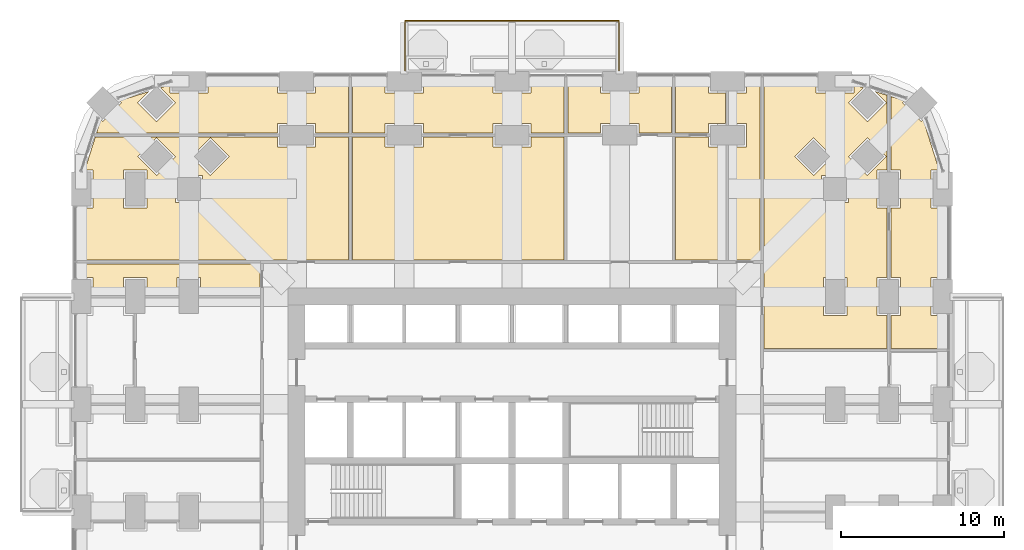
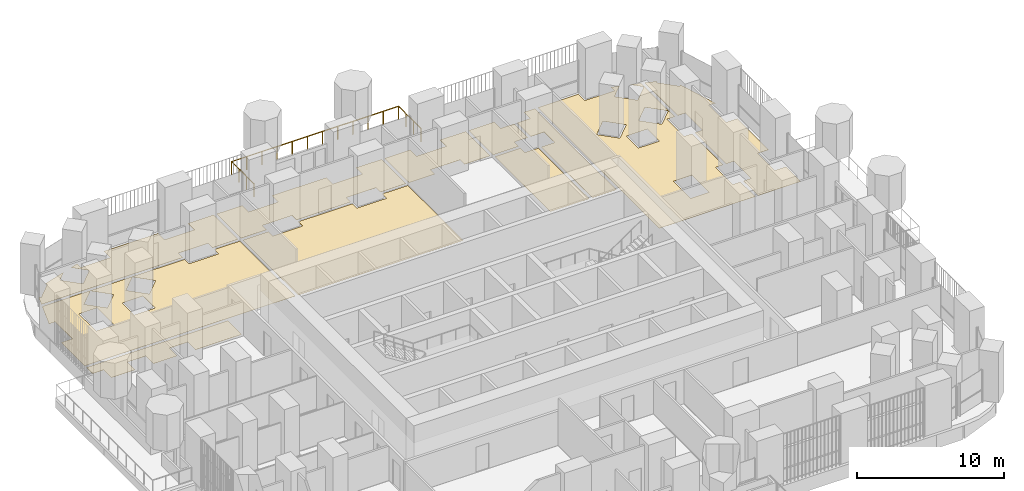
# One storey, part 25 of 26: 11 coverings, 1 railing.
"""IFC4 building model written with IfcOpenShell, lengths in metres."""

from ifc_helpers import new_model, si_unit, direction, frame, origin, place, context, subcontext, project, spatial, polyline, outline, extrude, material, layer, layer_set, type_object, element, save


model = new_model("IFC4")

# Units and contexts
model_context = context("Model", 3, precision=1e-05, world=origin(), true_north=direction((0.0, 1.0)))
body_context = subcontext(model_context, "Body", "Model", "MODEL_VIEW")
ifc_project = project(units=[si_unit("LENGTHUNIT", "METRE"), si_unit("AREAUNIT", "SQUARE_METRE"), si_unit("VOLUMEUNIT", "CUBIC_METRE"), si_unit("PLANEANGLEUNIT", "RADIAN"), si_unit("MASSUNIT", "GRAM", prefix="KILO")], contexts=[model_context])

# Site, building, storey
site_placement = place(None, origin())
site = spatial("IfcSite", under=ifc_project, at=site_placement, CompositionType="ELEMENT")
building_placement = place(site_placement, origin())
building = spatial("IfcBuilding", under=site, at=building_placement, Name="Cobogo Forest Laboratory Tower", CompositionType="ELEMENT")
storey_placement = place(building_placement, frame((0.0, 0.0, 50.699951171875)))
storey = spatial("IfcBuildingStorey", under=building, at=storey_placement, Name="L11", CompositionType="ELEMENT", Elevation=50.699951171875)

# Railing
ifc_material_1 = material(Name="Laminated glass balustrade", Category="glass")
railing_type = type_object("IfcRailingType", Name="BG1 glass balustrade 1100", PredefinedType="GUARDRAIL", material=ifc_material_1)
railing_placement = place(storey_placement, frame((19.85009765625, 46.85009765625, 0.0)))
element("IfcRailing", 1, at=railing_placement, inside=storey, type_object=railing_type, Name="Balcony balustrade BAL-N1 L11", PredefinedType="GUARDRAIL", context=body_context, shape_type="SweptSolid", body=[
    extrude(outline(polyline([(0.022216796875, 0.00927734375), (0.00927734375, 0.022216796875), (-0.00927734375, 0.022216796875), (-0.022216796875, 0.00927734375), (-0.022216796875, -0.00927734375), (-0.00927734375, -0.022216796875), (0.00927734375, -0.022216796875), (0.022216796875, -0.00927734375), (0.022216796875, 0.00927734375)])), frame((0.0, 0.0, 1.077880859375), z_axis=(0.0, 1.0, 0.0), x_axis=(-1.0, 0.0, 0.0)), (0.0, 0.0, 1.0), 3.0498046875),
    extrude(outline(polyline([(0.022216796875, 0.00927734375), (0.00927734375, 0.022216796875), (-0.00927734375, 0.022216796875), (-0.022216796875, 0.00927734375), (-0.022216796875, -0.00927734375), (-0.00927734375, -0.022216796875), (0.00927734375, -0.022216796875), (0.022216796875, -0.00927734375), (0.022216796875, 0.00927734375)])), frame((0.0, 3.0498046875, 1.077880859375), z_axis=(1.0, 0.0, 0.0), x_axis=(0.0, 1.0, 0.0)), (0.0, 0.0, 1.0), 13.099853515625),
    extrude(outline(polyline([(0.022216796875, 0.00927734375), (0.00927734375, 0.022216796875), (-0.00927734375, 0.022216796875), (-0.022216796875, 0.00927734375), (-0.022216796875, -0.00927734375), (-0.00927734375, -0.022216796875), (0.00927734375, -0.022216796875), (0.022216796875, -0.00927734375), (0.022216796875, 0.00927734375)])), frame((13.099853515625, 3.0498046875, 1.077880859375), z_axis=(0.0, -1.0, 0.0), x_axis=(1.0, 0.0, 0.0)), (0.0, 0.0, 1.0), 3.0498046875),
    extrude(outline(polyline([(0.019287109375, 0.008056640625), (0.008056640625, 0.019287109375), (-0.008056640625, 0.019287109375), (-0.019287109375, 0.008056640625), (-0.019287109375, -0.008056640625), (-0.008056640625, -0.019287109375), (0.008056640625, -0.019287109375), (0.019287109375, -0.008056640625), (0.019287109375, 0.008056640625)])), origin(), (0.0, 0.0, 1.0), 1.077880859375),
    extrude(outline(polyline([(0.019287109375, 0.008056640625), (0.008056640625, 0.019287109375), (-0.008056640625, 0.019287109375), (-0.019287109375, 0.008056640625), (-0.019287109375, -0.008056640625), (-0.008056640625, -0.019287109375), (0.008056640625, -0.019287109375), (0.019287109375, -0.008056640625), (0.019287109375, 0.008056640625)])), frame((0.0, 1.0166015625, 0.0)), (0.0, 0.0, 1.0), 1.077880859375),
    extrude(outline(polyline([(0.019287109375, 0.008056640625), (0.008056640625, 0.019287109375), (-0.008056640625, 0.019287109375), (-0.019287109375, 0.008056640625), (-0.019287109375, -0.008056640625), (-0.008056640625, -0.019287109375), (0.008056640625, -0.019287109375), (0.019287109375, -0.008056640625), (0.019287109375, 0.008056640625)])), frame((0.0, 2.033203125, 0.0)), (0.0, 0.0, 1.0), 1.077880859375),
    extrude(outline(polyline([(0.019287109375, 0.008056640625), (0.008056640625, 0.019287109375), (-0.008056640625, 0.019287109375), (-0.019287109375, 0.008056640625), (-0.019287109375, -0.008056640625), (-0.008056640625, -0.019287109375), (0.008056640625, -0.019287109375), (0.019287109375, -0.008056640625), (0.019287109375, 0.008056640625)])), frame((0.0, 3.0498046875, 0.0)), (0.0, 0.0, 1.0), 1.077880859375),
    extrude(outline(polyline([(0.019287109375, 0.008056640625), (0.008056640625, 0.019287109375), (-0.008056640625, 0.019287109375), (-0.019287109375, 0.008056640625), (-0.019287109375, -0.008056640625), (-0.008056640625, -0.019287109375), (0.008056640625, -0.019287109375), (0.019287109375, -0.008056640625), (0.019287109375, 0.008056640625)])), frame((1.19091796875, 3.0498046875, 0.0)), (0.0, 0.0, 1.0), 1.077880859375),
    extrude(outline(polyline([(0.019287109375, 0.008056640625), (0.008056640625, 0.019287109375), (-0.008056640625, 0.019287109375), (-0.019287109375, 0.008056640625), (-0.019287109375, -0.008056640625), (-0.008056640625, -0.019287109375), (0.008056640625, -0.019287109375), (0.019287109375, -0.008056640625), (0.019287109375, 0.008056640625)])), frame((2.3818359375, 3.0498046875, 0.0)), (0.0, 0.0, 1.0), 1.077880859375),
    extrude(outline(polyline([(0.019287109375, 0.008056640625), (0.008056640625, 0.019287109375), (-0.008056640625, 0.019287109375), (-0.019287109375, 0.008056640625), (-0.019287109375, -0.008056640625), (-0.008056640625, -0.019287109375), (0.008056640625, -0.019287109375), (0.019287109375, -0.008056640625), (0.019287109375, 0.008056640625)])), frame((3.57275390625, 3.0498046875, 0.0)), (0.0, 0.0, 1.0), 1.077880859375),
    extrude(outline(polyline([(0.019287109375, 0.008056640625), (0.008056640625, 0.019287109375), (-0.008056640625, 0.019287109375), (-0.019287109375, 0.008056640625), (-0.019287109375, -0.008056640625), (-0.008056640625, -0.019287109375), (0.008056640625, -0.019287109375), (0.019287109375, -0.008056640625), (0.019287109375, 0.008056640625)])), frame((4.763671875, 3.0498046875, 0.0)), (0.0, 0.0, 1.0), 1.077880859375),
    extrude(outline(polyline([(0.019287109375, 0.008056640625), (0.008056640625, 0.019287109375), (-0.008056640625, 0.019287109375), (-0.019287109375, 0.008056640625), (-0.019287109375, -0.008056640625), (-0.008056640625, -0.019287109375), (0.008056640625, -0.019287109375), (0.019287109375, -0.008056640625), (0.019287109375, 0.008056640625)])), frame((5.95458984375, 3.0498046875, 0.0)), (0.0, 0.0, 1.0), 1.077880859375),
    extrude(outline(polyline([(0.019287109375, 0.008056640625), (0.008056640625, 0.019287109375), (-0.008056640625, 0.019287109375), (-0.019287109375, 0.008056640625), (-0.019287109375, -0.008056640625), (-0.008056640625, -0.019287109375), (0.008056640625, -0.019287109375), (0.019287109375, -0.008056640625), (0.019287109375, 0.008056640625)])), frame((7.145263671875, 3.0498046875, 0.0)), (0.0, 0.0, 1.0), 1.077880859375),
    extrude(outline(polyline([(0.019287109375, 0.008056640625), (0.008056640625, 0.019287109375), (-0.008056640625, 0.019287109375), (-0.019287109375, 0.008056640625), (-0.019287109375, -0.008056640625), (-0.008056640625, -0.019287109375), (0.008056640625, -0.019287109375), (0.019287109375, -0.008056640625), (0.019287109375, 0.008056640625)])), frame((8.336181640625, 3.0498046875, 0.0)), (0.0, 0.0, 1.0), 1.077880859375),
    extrude(outline(polyline([(0.019287109375, 0.008056640625), (0.008056640625, 0.019287109375), (-0.008056640625, 0.019287109375), (-0.019287109375, 0.008056640625), (-0.019287109375, -0.008056640625), (-0.008056640625, -0.019287109375), (0.008056640625, -0.019287109375), (0.019287109375, -0.008056640625), (0.019287109375, 0.008056640625)])), frame((9.527099609375, 3.0498046875, 0.0)), (0.0, 0.0, 1.0), 1.077880859375),
    extrude(outline(polyline([(0.019287109375, 0.008056640625), (0.008056640625, 0.019287109375), (-0.008056640625, 0.019287109375), (-0.019287109375, 0.008056640625), (-0.019287109375, -0.008056640625), (-0.008056640625, -0.019287109375), (0.008056640625, -0.019287109375), (0.019287109375, -0.008056640625), (0.019287109375, 0.008056640625)])), frame((10.718017578125, 3.0498046875, 0.0)), (0.0, 0.0, 1.0), 1.077880859375),
    extrude(outline(polyline([(0.019287109375, 0.008056640625), (0.008056640625, 0.019287109375), (-0.008056640625, 0.019287109375), (-0.019287109375, 0.008056640625), (-0.019287109375, -0.008056640625), (-0.008056640625, -0.019287109375), (0.008056640625, -0.019287109375), (0.019287109375, -0.008056640625), (0.019287109375, 0.008056640625)])), frame((11.908935546875, 3.0498046875, 0.0)), (0.0, 0.0, 1.0), 1.077880859375),
    extrude(outline(polyline([(0.019287109375, 0.008056640625), (0.008056640625, 0.019287109375), (-0.008056640625, 0.019287109375), (-0.019287109375, 0.008056640625), (-0.019287109375, -0.008056640625), (-0.008056640625, -0.019287109375), (0.008056640625, -0.019287109375), (0.019287109375, -0.008056640625), (0.019287109375, 0.008056640625)])), frame((13.099853515625, 3.0498046875, 0.0)), (0.0, 0.0, 1.0), 1.077880859375),
    extrude(outline(polyline([(0.019287109375, 0.008056640625), (0.008056640625, 0.019287109375), (-0.008056640625, 0.019287109375), (-0.019287109375, 0.008056640625), (-0.019287109375, -0.008056640625), (-0.008056640625, -0.019287109375), (0.008056640625, -0.019287109375), (0.019287109375, -0.008056640625), (0.019287109375, 0.008056640625)])), frame((13.099853515625, 2.033203125, 0.0)), (0.0, 0.0, 1.0), 1.077880859375),
    extrude(outline(polyline([(0.019287109375, 0.008056640625), (0.008056640625, 0.019287109375), (-0.008056640625, 0.019287109375), (-0.019287109375, 0.008056640625), (-0.019287109375, -0.008056640625), (-0.008056640625, -0.019287109375), (0.008056640625, -0.019287109375), (0.019287109375, -0.008056640625), (0.019287109375, 0.008056640625)])), frame((13.099853515625, 1.0166015625, 0.0)), (0.0, 0.0, 1.0), 1.077880859375),
    extrude(outline(polyline([(0.019287109375, 0.008056640625), (0.008056640625, 0.019287109375), (-0.008056640625, 0.019287109375), (-0.019287109375, 0.008056640625), (-0.019287109375, -0.008056640625), (-0.008056640625, -0.019287109375), (0.008056640625, -0.019287109375), (0.019287109375, -0.008056640625), (0.019287109375, 0.008056640625)])), frame((13.099853515625, 0.0, 0.0)), (0.0, 0.0, 1.0), 1.077880859375),
])

# Coverings
ifc_material_2 = material(Name="Carpet tile on raised access floor", Category="flooring")
ifc_layer_1 = layer(ifc_material_2, 0.008056640625)
ifc_layer_set_1 = layer_set([ifc_layer_1], Name="CT1 carpet tile floor 8")
covering_type_1 = type_object("IfcCoveringType", Name="CT1 carpet tile floor 8", PredefinedType="FLOORING", material=ifc_layer_set_1)
covering_1_placement = place(storey_placement, origin())
element("IfcCovering", 2, at=covering_1_placement, inside=storey, type_object=covering_type_1, Name="Carpet floor L11-18", PredefinedType="FLOORING", context=body_context, shape_type="SweptSolid", body=[
    extrude(outline(polyline([(49.6201171875, 31.830078125), (50.219970703125, 31.830078125), (50.219970703125, 34.169921875), (49.6201171875, 34.169921875), (49.6201171875, 38.429931640625), (50.219970703125, 38.429931640625), (50.219970703125, 40.77001953125), (49.6201171875, 40.77001953125), (49.6201171875, 45.26025390625), (50.441162109375, 45.0009765625), (50.322265625, 44.882080078125), (51.48193359375, 43.722412109375), (51.600830078125, 43.84130859375), (52.57080078125, 40.77001953125), (52.080078125, 40.77001953125), (52.080078125, 38.429931640625), (52.949951171875, 38.429931640625), (52.949951171875, 34.169921875), (52.080078125, 34.169921875), (52.080078125, 31.830078125), (52.949951171875, 31.830078125), (52.949951171875, 29.820068359375), (49.6201171875, 29.820068359375), (49.6201171875, 31.830078125)])), origin(), (0.0, 0.0, 1.0), 0.008056640625),
])
covering_2_placement = place(storey_placement, origin())
element("IfcCovering", 3, at=covering_2_placement, inside=storey, type_object=covering_type_1, Name="Carpet floor L11-20", PredefinedType="FLOORING", context=body_context, shape_type="SweptSolid", body=[
    extrude(outline(polyline([(14.3701171875, 43.02001953125), (14.3701171875, 43.6201171875), (12.030029296875, 43.6201171875), (12.030029296875, 43.02001953125), (0.939697265625, 43.02001953125), (1.19921875, 43.84130859375), (1.318115234375, 43.722412109375), (2.477783203125, 44.882080078125), (2.358642578125, 45.0009765625), (4.1396484375, 45.563232421875), (3.458251953125, 44.882080078125), (4.617919921875, 43.722412109375), (5.777587890625, 44.882080078125), (4.86669921875, 45.79296875), (5.429931640625, 45.970703125), (5.429931640625, 45.47998046875), (7.77001953125, 45.47998046875), (7.77001953125, 46.35009765625), (12.030029296875, 46.35009765625), (12.030029296875, 45.47998046875), (14.3701171875, 45.47998046875), (14.3701171875, 46.35009765625), (16.3798828125, 46.35009765625), (16.3798828125, 43.02001953125), (14.3701171875, 43.02001953125)])), origin(), (0.0, 0.0, 1.0), 0.008056640625),
])
covering_3_placement = place(storey_placement, origin())
element("IfcCovering", 4, at=covering_3_placement, inside=storey, type_object=covering_type_1, Name="Carpet floor L11-22", PredefinedType="FLOORING", context=body_context, shape_type="SweptSolid", body=[
    extrude(outline(polyline([(27.570068359375, 43.02001953125), (27.570068359375, 43.6201171875), (25.22998046875, 43.6201171875), (25.22998046875, 43.02001953125), (20.969970703125, 43.02001953125), (20.969970703125, 43.6201171875), (18.6298828125, 43.6201171875), (18.6298828125, 43.02001953125), (16.6201171875, 43.02001953125), (16.6201171875, 46.35009765625), (18.6298828125, 46.35009765625), (18.6298828125, 45.47998046875), (20.969970703125, 45.47998046875), (20.969970703125, 46.35009765625), (25.22998046875, 46.35009765625), (25.22998046875, 45.47998046875), (27.570068359375, 45.47998046875), (27.570068359375, 46.35009765625), (29.580078125, 46.35009765625), (29.580078125, 43.02001953125), (27.570068359375, 43.02001953125)])), origin(), (0.0, 0.0, 1.0), 0.008056640625),
])
covering_4_placement = place(storey_placement, origin())
element("IfcCovering", 5, at=covering_4_placement, inside=storey, type_object=covering_type_1, Name="Carpet floor L11-24", PredefinedType="FLOORING", context=body_context, shape_type="SweptSolid", body=[
    extrude(outline(polyline([(34.169921875, 43.02001953125), (34.169921875, 43.6201171875), (31.830078125, 43.6201171875), (31.830078125, 43.02001953125), (29.820068359375, 43.02001953125), (29.820068359375, 46.35009765625), (31.830078125, 46.35009765625), (31.830078125, 45.47998046875), (34.169921875, 45.47998046875), (34.169921875, 46.35009765625), (36.179931640625, 46.35009765625), (36.179931640625, 43.02001953125), (34.169921875, 43.02001953125)])), origin(), (0.0, 0.0, 1.0), 0.008056640625),
])
covering_5_placement = place(storey_placement, origin())
element("IfcCovering", 6, at=covering_5_placement, inside=storey, type_object=covering_type_1, Name="Carpet floor L11-26", PredefinedType="FLOORING", context=body_context, shape_type="SweptSolid", body=[
    extrude(outline(polyline([(36.419921875, 43.02001953125), (36.419921875, 46.35009765625), (38.429931640625, 46.35009765625), (38.429931640625, 45.47998046875), (39.47998046875, 45.47998046875), (39.47998046875, 43.6201171875), (38.429931640625, 43.6201171875), (38.429931640625, 43.02001953125), (36.419921875, 43.02001953125)])), origin(), (0.0, 0.0, 1.0), 0.008056640625),
])
covering_6_placement = place(storey_placement, origin())
element("IfcCovering", 7, at=covering_6_placement, inside=storey, type_object=covering_type_1, Name="Carpet floor L11-27", PredefinedType="FLOORING", context=body_context, shape_type="SweptSolid", body=[
    extrude(outline(polyline([(39.719970703125, 35.2451171875), (39.719970703125, 42.179931640625), (40.77001953125, 42.179931640625), (40.77001953125, 43.6201171875), (39.719970703125, 43.6201171875), (39.719970703125, 45.47998046875), (40.77001953125, 45.47998046875), (40.77001953125, 46.35009765625), (41.60498046875, 46.35009765625), (41.60498046875, 35.2451171875), (39.719970703125, 35.2451171875)])), origin(), (0.0, 0.0, 1.0), 0.008056640625),
])
covering_7_placement = place(storey_placement, origin())
element("IfcCovering", 8, at=covering_7_placement, inside=storey, type_object=covering_type_1, Name="Carpet floor L11-36", PredefinedType="FLOORING", context=body_context, shape_type="SweptSolid", body=[
    extrude(outline(polyline([(10.955078125, 33.1201171875), (7.320068359375, 33.1201171875), (7.320068359375, 34.169921875), (5.8798828125, 34.169921875), (5.8798828125, 33.1201171875), (4.02001953125, 33.1201171875), (4.02001953125, 34.169921875), (2.580078125, 34.169921875), (2.580078125, 33.1201171875), (0.719970703125, 33.1201171875), (0.719970703125, 34.169921875), (-0.14990234375, 34.169921875), (-0.14990234375, 35.0048828125), (10.955078125, 35.0048828125), (10.955078125, 33.1201171875)])), origin(), (0.0, 0.0, 1.0), 0.008056640625),
])
ifc_material_3 = material(Name="Epoxy resin flooring", Category="flooring")
ifc_layer_2 = layer(ifc_material_3, 0.00390625)
ifc_layer_set_2 = layer_set([ifc_layer_2], Name="LF1 epoxy laboratory floor 4")
covering_type_2 = type_object("IfcCoveringType", Name="LF1 epoxy laboratory floor 4", PredefinedType="FLOORING", material=ifc_layer_set_2)
covering_8_placement = place(storey_placement, origin())
element("IfcCovering", 9, at=covering_8_placement, inside=storey, type_object=covering_type_2, Name="Epoxy laboratory floor L11-17", PredefinedType="FLOORING", context=body_context, shape_type="SweptSolid", body=[
    extrude(outline(polyline([(41.844970703125, 29.820068359375), (41.844970703125, 46.35009765625), (45.030029296875, 46.35009765625), (45.030029296875, 45.47998046875), (47.3701171875, 45.47998046875), (47.3701171875, 45.970703125), (47.933349609375, 45.79296875), (47.022216796875, 44.882080078125), (48.181884765625, 43.722412109375), (49.341552734375, 44.882080078125), (48.660400390625, 45.563232421875), (49.3798828125, 45.3359375), (49.3798828125, 40.77001953125), (48.780029296875, 40.77001953125), (48.780029296875, 38.429931640625), (49.3798828125, 38.429931640625), (49.3798828125, 34.169921875), (48.780029296875, 34.169921875), (48.780029296875, 31.830078125), (49.3798828125, 31.830078125), (49.3798828125, 29.820068359375), (41.844970703125, 29.820068359375)]), holes=[polyline([(47.022216796875, 41.58203125), (48.181884765625, 40.42236328125), (49.341552734375, 41.58203125), (48.181884765625, 42.74169921875), (47.022216796875, 41.58203125)]), polyline([(47.02001953125, 40.419921875), (45.3798828125, 40.419921875), (45.3798828125, 38.780029296875), (47.02001953125, 38.780029296875), (47.02001953125, 40.419921875)]), polyline([(45.47998046875, 31.830078125), (46.919921875, 31.830078125), (46.919921875, 34.169921875), (45.47998046875, 34.169921875), (45.47998046875, 31.830078125)]), polyline([(43.722412109375, 41.58203125), (44.882080078125, 40.42236328125), (46.041748046875, 41.58203125), (44.882080078125, 42.74169921875), (43.722412109375, 41.58203125)])]), origin(), (0.0, 0.0, 1.0), 0.004150390625),
])
covering_9_placement = place(storey_placement, origin())
element("IfcCovering", 10, at=covering_9_placement, inside=storey, type_object=covering_type_2, Name="Epoxy laboratory floor L11-19", PredefinedType="FLOORING", context=body_context, shape_type="SweptSolid", body=[
    extrude(outline(polyline([(16.3798828125, 35.2451171875), (-0.14990234375, 35.2451171875), (-0.14990234375, 38.429931640625), (0.719970703125, 38.429931640625), (0.719970703125, 40.77001953125), (0.229248046875, 40.77001953125), (0.864013671875, 42.780029296875), (12.030029296875, 42.780029296875), (12.030029296875, 42.179931640625), (14.3701171875, 42.179931640625), (14.3701171875, 42.780029296875), (16.3798828125, 42.780029296875), (16.3798828125, 35.2451171875)]), holes=[polyline([(6.75830078125, 41.58203125), (7.91796875, 40.42236328125), (9.07763671875, 41.58203125), (7.91796875, 42.74169921875), (6.75830078125, 41.58203125)]), polyline([(5.780029296875, 40.419921875), (5.780029296875, 38.780029296875), (7.419921875, 38.780029296875), (7.419921875, 40.419921875), (5.780029296875, 40.419921875)]), polyline([(3.458251953125, 41.58203125), (4.617919921875, 40.42236328125), (5.777587890625, 41.58203125), (4.617919921875, 42.74169921875), (3.458251953125, 41.58203125)]), polyline([(2.580078125, 38.429931640625), (4.02001953125, 38.429931640625), (4.02001953125, 40.77001953125), (2.580078125, 40.77001953125), (2.580078125, 38.429931640625)])]), origin(), (0.0, 0.0, 1.0), 0.004150390625),
])
covering_10_placement = place(storey_placement, origin())
element("IfcCovering", 11, at=covering_10_placement, inside=storey, type_object=covering_type_2, Name="Epoxy laboratory floor L11-21", PredefinedType="FLOORING", context=body_context, shape_type="SweptSolid", body=[
    extrude(outline(polyline([(16.6201171875, 42.780029296875), (18.6298828125, 42.780029296875), (18.6298828125, 42.179931640625), (20.969970703125, 42.179931640625), (20.969970703125, 42.780029296875), (25.22998046875, 42.780029296875), (25.22998046875, 42.179931640625), (27.570068359375, 42.179931640625), (27.570068359375, 42.780029296875), (29.580078125, 42.780029296875), (29.580078125, 35.2451171875), (16.6201171875, 35.2451171875), (16.6201171875, 42.780029296875)])), origin(), (0.0, 0.0, 1.0), 0.004150390625),
])
covering_11_placement = place(storey_placement, origin())
element("IfcCovering", 12, at=covering_11_placement, inside=storey, type_object=covering_type_2, Name="Epoxy laboratory floor L11-25", PredefinedType="FLOORING", context=body_context, shape_type="SweptSolid", body=[
    extrude(outline(polyline([(36.419921875, 42.780029296875), (38.429931640625, 42.780029296875), (38.429931640625, 42.179931640625), (39.47998046875, 42.179931640625), (39.47998046875, 35.2451171875), (36.419921875, 35.2451171875), (36.419921875, 42.780029296875)])), origin(), (0.0, 0.0, 1.0), 0.004150390625),
])

save(model, "model.ifc")
